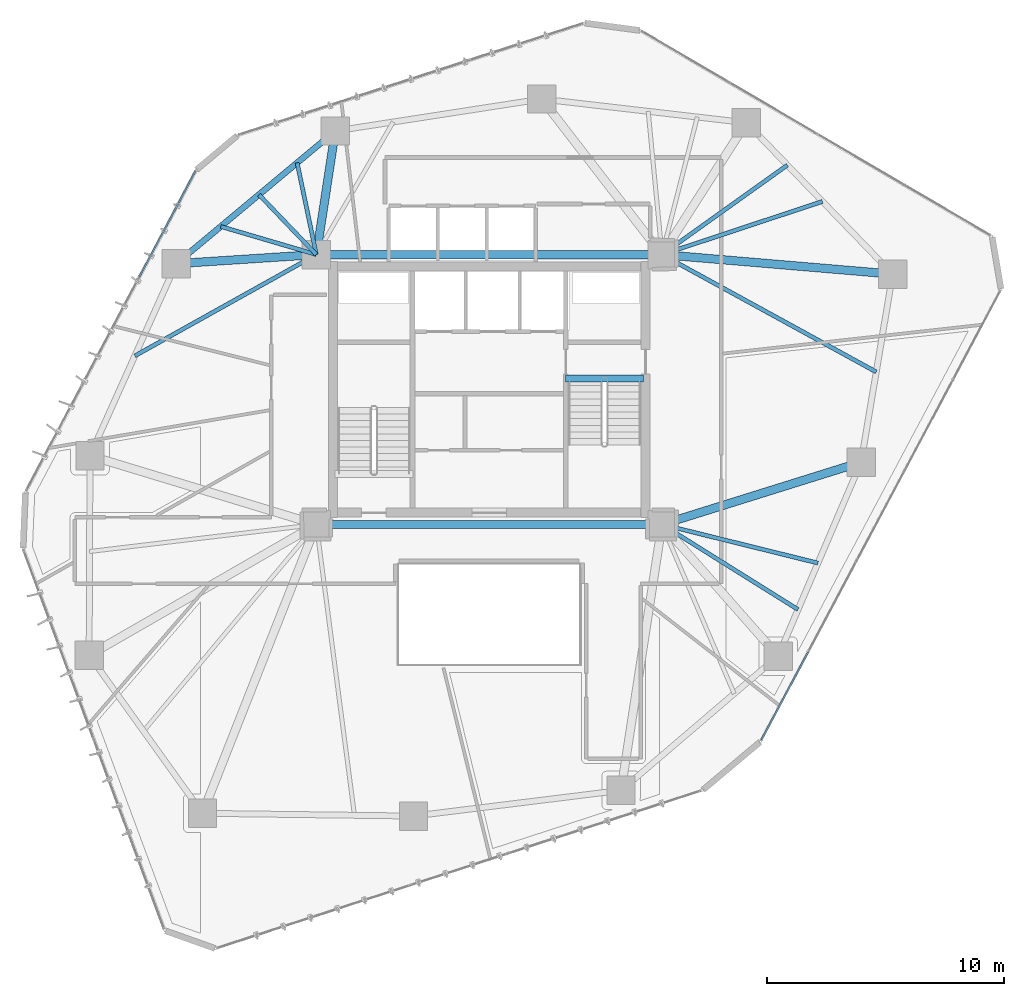
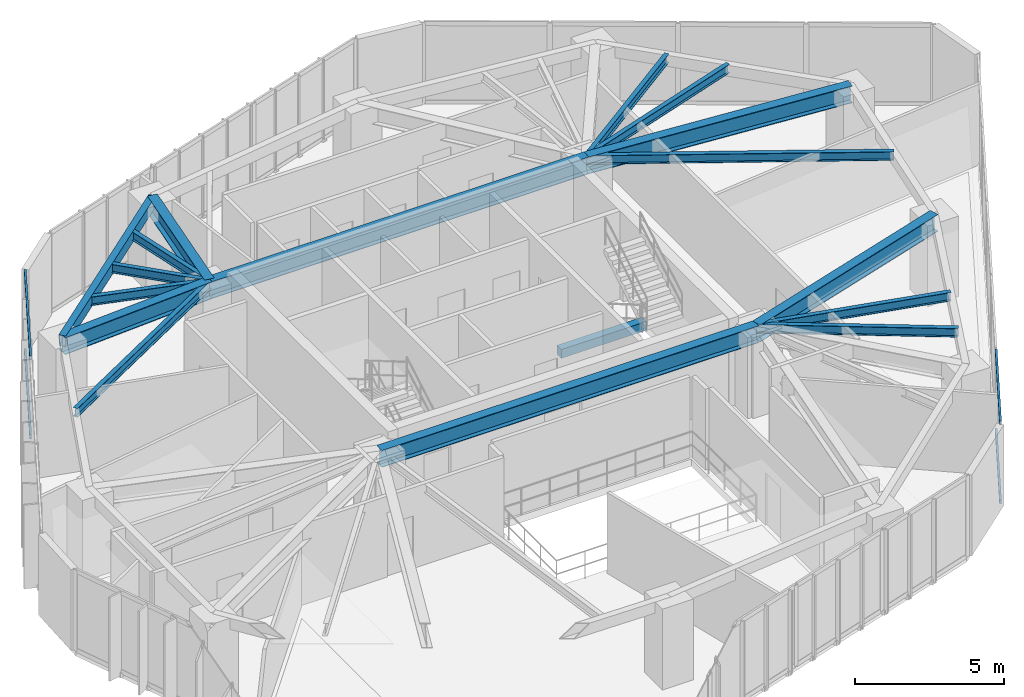
# One storey, part 9 of 21: 17 beams, 4 members, 2 elements without a shape of their own.
"""IFC4 building model written with IfcOpenShell, lengths in metres."""

from ifc_helpers import new_model, si_unit, direction, frame, origin, origin_2d, place, context, subcontext, project, spatial, rectangle, hollow_rectangle, i_section, extrude, source, transform, mapped, material, layer, layer_set, material_profile, profile_set, type_object, type_shapes, element, aggregate, save


model = new_model("IFC4")

# Units and contexts
model_context = context("Model", 3, precision=1e-05, world=origin(), true_north=direction((0.0, 1.0)))
body_context = subcontext(model_context, "Body", "Model", "MODEL_VIEW")
ifc_project = project(units=[si_unit("LENGTHUNIT", "METRE"), si_unit("AREAUNIT", "SQUARE_METRE"), si_unit("VOLUMEUNIT", "CUBIC_METRE"), si_unit("PLANEANGLEUNIT", "RADIAN"), si_unit("MASSUNIT", "GRAM", prefix="KILO")], contexts=[model_context])

# Site, building, storey
site_placement = place(None, origin())
site = spatial("IfcSite", under=ifc_project, at=site_placement, CompositionType="ELEMENT")
building_placement = place(site_placement, origin())
building = spatial("IfcBuilding", under=site, at=building_placement, Name="Talar Marvaseh", CompositionType="ELEMENT")
storey_placement = place(building_placement, frame((0.0, 0.0, 143.39990234375)))
storey = spatial("IfcBuildingStorey", under=building, at=storey_placement, Name="L37", CompositionType="ELEMENT", Elevation=143.39990234375)

# Beams
ifc_material_1 = material(Name="Concrete C40/50", Category="concrete")
ifc_material_profile_1 = material_profile(ifc_material_1, rectangle(XDim=0.300048828125, YDim=0.360107421875, at=origin_2d()), Name="RC300x360")
ifc_profile_set_1 = profile_set([ifc_material_profile_1], Name="Concrete C40/50")
beam_type_1 = type_object("IfcBeamType", Name="Concrete Stair Landing Trimmer Beam RC300x360", PredefinedType="SPANDREL", material=ifc_profile_set_1)
beam_1_placement = place(storey_placement, frame((29.219970703125, 31.669921875, -0.179931640625), z_axis=(1.0, 0.0, 0.0), x_axis=(0.0, 1.0, 0.0)))
element("IfcBeam", 1, at=beam_1_placement, inside=storey, type_object=beam_type_1, Name="L37 ST-2 Stair Nosing Trimmer Beam", PredefinedType="SPANDREL", context=body_context, shape_type="SweptSolid", body=[
    extrude(rectangle(XDim=0.300048828125, YDim=0.360107421875, at=origin_2d()), origin(), (0.0, 0.0, 1.0), 3.300048828125),
])
ifc_material_2 = material(Name="Steel S355", Category="steel")
ifc_material_profile_2 = material_profile(ifc_material_2, hollow_rectangle(XDim=0.25, YDim=0.449951171875, WallThickness=0.01611328125, at=origin_2d()), Name="RHS450x250x16")
ifc_profile_set_2 = profile_set([ifc_material_profile_2], Name="Steel S355")
beam_type_2 = type_object("IfcBeamType", Name="Zone 2 Perimeter Spandrel Beam RHS450x250x16", PredefinedType="SPANDREL", material=ifc_profile_set_2)
beam_2_placement = place(storey_placement, frame((12.780029296875, 36.51708984375, 3.085205078125), z_axis=(0.76793081465, 0.640532796905, 0.0), x_axis=(-0.640532796905, 0.76793081465, 0.0)))
element("IfcBeam", 2, at=beam_2_placement, inside=storey, type_object=beam_type_2, Name="L37 Zone 2 Perimeter Spandrel Beam RHS450x250x16", PredefinedType="SPANDREL", context=body_context, shape_type="SweptSolid", body=[
    extrude(hollow_rectangle(XDim=0.25, YDim=0.449951171875, WallThickness=0.01611328125, at=origin_2d()), origin(), (0.0, 0.0, 1.0), 8.751953125),
])
ifc_material_profile_3 = material_profile(ifc_material_2, i_section(OverallWidth=0.35498046875, OverallDepth=0.695068359375, WebThickness=0.015380859375, FlangeThickness=0.02490234375, at=origin_2d()), Name="W690x217")
ifc_profile_set_3 = profile_set([ifc_material_profile_3], Name="Steel S355")
beam_type_3 = type_object("IfcBeamType", Name="Zone 2 Radial Floor Girder W690x217", PredefinedType="BEAM", material=ifc_profile_set_3)
for number, where, z_axis, x_axis, name in (
    (3, (18.699951171875, 25.5, 2.962646484375), (1.0, 0.0, 0.0), (0.0, 1.0, 0.0), "L37 Zone 2 Radial Floor Girder W690x217"),
    (4, (18.699951171875, 36.89990234375, 2.962646484375), (1.0, 0.0, 0.0), (0.0, 1.0, 0.0), "L37 Zone 2 Radial Floor Girder W690x217"),
):
    element("IfcBeam", number, at=place(storey_placement, frame(where, z_axis=z_axis, x_axis=x_axis)), inside=storey, type_object=beam_type_3, Name=name, PredefinedType="BEAM", context=body_context, shape_type="SweptSolid", body=[
        extrude(i_section(OverallWidth=0.35498046875, OverallDepth=0.695068359375, WebThickness=0.015380859375, FlangeThickness=0.02490234375, at=origin_2d()), origin(), (0.0, 0.0, 1.0), 14.60009765625),
    ])
beam_3_placement = place(storey_placement, frame((43.0439453125, 36.075927734375, 2.962646484375), z_axis=(-0.996443598923, 0.084262412527, 0.0), x_axis=(-0.084262412527, -0.996443598923, 0.0)))
element("IfcBeam", 5, at=beam_3_placement, inside=storey, type_object=beam_type_3, Name="L37 Zone 2 Radial Floor Girder W690x217", PredefinedType="BEAM", context=body_context, shape_type="SweptSolid", body=[
    extrude(i_section(OverallWidth=0.35498046875, OverallDepth=0.695068359375, WebThickness=0.015380859375, FlangeThickness=0.02490234375, at=origin_2d()), origin(), (0.0, 0.0, 1.0), 9.778564453125),
])
beam_4_placement = place(storey_placement, frame((41.708984375, 28.1279296875, 2.962646484375), z_axis=(-0.954475540106, -0.298289194138, 0.0), x_axis=(0.298289194138, -0.954475540106, 0.0)))
element("IfcBeam", 6, at=beam_4_placement, inside=storey, type_object=beam_type_3, Name="L37 Zone 2 Radial Floor Girder W690x217", PredefinedType="BEAM", context=body_context, shape_type="SweptSolid", body=[
    extrude(i_section(OverallWidth=0.35498046875, OverallDepth=0.695068359375, WebThickness=0.015380859375, FlangeThickness=0.02490234375, at=origin_2d()), origin(), (0.0, 0.0, 1.0), 8.81005859375),
])
beam_5_placement = place(storey_placement, frame((12.780029296875, 36.51708984375, 2.962646484375), z_axis=(0.997915745008, 0.064530348407, 0.0), x_axis=(-0.064530348407, 0.997915745008, 0.0)))
element("IfcBeam", 7, at=beam_5_placement, inside=storey, type_object=beam_type_3, Name="L37 Zone 2 Radial Floor Girder W690x217", PredefinedType="BEAM", context=body_context, shape_type="SweptSolid", body=[
    extrude(i_section(OverallWidth=0.35498046875, OverallDepth=0.695068359375, WebThickness=0.015380859375, FlangeThickness=0.02490234375, at=origin_2d()), origin(), (0.0, 0.0, 1.0), 5.932373046875),
])
beam_6_placement = place(storey_placement, frame((19.5009765625, 42.123046875, 2.962646484375), z_axis=(-0.151588471466, -0.98844369355, 0.0), x_axis=(0.98844369355, -0.151588471466, 0.0)))
element("IfcBeam", 8, at=beam_6_placement, inside=storey, type_object=beam_type_3, Name="L37 Zone 2 Radial Floor Girder W690x217", PredefinedType="BEAM", context=body_context, shape_type="SweptSolid", body=[
    extrude(i_section(OverallWidth=0.35498046875, OverallDepth=0.695068359375, WebThickness=0.015380859375, FlangeThickness=0.02490234375, at=origin_2d()), origin(), (0.0, 0.0, 1.0), 5.2841796875),
])
ifc_material_profile_4 = material_profile(ifc_material_2, i_section(OverallWidth=0.172119140625, OverallDepth=0.35791015625, WebThickness=0.0078125, FlangeThickness=0.01318359375, at=origin_2d()), Name="W360x57")
ifc_profile_set_4 = profile_set([ifc_material_profile_4], Name="Steel S355")
beam_type_4 = type_object("IfcBeamType", Name="Zone 2 Secondary Floor Joist W360x57", PredefinedType="JOIST", material=ifc_profile_set_4)
beam_7_placement = place(storey_placement, frame((38.595703125, 40.680419921875, 3.131103515625), z_axis=(-0.813885558782, -0.581025212195, 0.0), x_axis=(0.581025212195, -0.813885558782, 0.0)))
element("IfcBeam", 9, at=beam_7_placement, inside=storey, type_object=beam_type_4, Name="L37 Zone 2 Secondary Floor Joist W360x57", PredefinedType="JOIST", context=body_context, shape_type="SweptSolid", body=[
    extrude(i_section(OverallWidth=0.172119140625, OverallDepth=0.35791015625, WebThickness=0.0078125, FlangeThickness=0.01318359375, at=origin_2d()), origin(), (0.0, 0.0, 1.0), 6.506591796875),
])
beam_8_placement = place(storey_placement, frame((40.07861328125, 39.1455078125, 3.131103515625), z_axis=(-0.949266314022, -0.314473313754, 0.0), x_axis=(0.314473313754, -0.949266314022, 0.0)))
element("IfcBeam", 10, at=beam_8_placement, inside=storey, type_object=beam_type_4, Name="L37 Zone 2 Secondary Floor Joist W360x57", PredefinedType="JOIST", context=body_context, shape_type="SweptSolid", body=[
    extrude(i_section(OverallWidth=0.172119140625, OverallDepth=0.35791015625, WebThickness=0.0078125, FlangeThickness=0.01318359375, at=origin_2d()), origin(), (0.0, 0.0, 1.0), 7.140869140625),
])
beam_9_placement = place(storey_placement, frame((42.349853515625, 31.943115234375, 3.131103515625), z_axis=(-0.877057817553, 0.480384829766, 0.0), x_axis=(-0.480384829766, -0.877057817553, 0.0)))
element("IfcBeam", 11, at=beam_9_placement, inside=storey, type_object=beam_type_4, Name="L37 Zone 2 Secondary Floor Joist W360x57", PredefinedType="JOIST", context=body_context, shape_type="SweptSolid", body=[
    extrude(i_section(OverallWidth=0.172119140625, OverallDepth=0.35791015625, WebThickness=0.0078125, FlangeThickness=0.01318359375, at=origin_2d()), origin(), (0.0, 0.0, 1.0), 10.318359375),
])
beam_10_placement = place(storey_placement, frame((39.887451171875, 23.870849609375, 3.131103515625), z_axis=(-0.970753133019, 0.240079892396, 0.0), x_axis=(-0.240079892396, -0.970753133019, 0.0)))
element("IfcBeam", 12, at=beam_10_placement, inside=storey, type_object=beam_type_4, Name="L37 Zone 2 Secondary Floor Joist W360x57", PredefinedType="JOIST", context=body_context, shape_type="SweptSolid", body=[
    extrude(i_section(OverallWidth=0.172119140625, OverallDepth=0.35791015625, WebThickness=0.0078125, FlangeThickness=0.01318359375, at=origin_2d()), origin(), (0.0, 0.0, 1.0), 6.785888671875),
])
beam_11_placement = place(storey_placement, frame((39.046630859375, 21.906005859375, 3.131103515625), z_axis=(-0.84784042564, 0.530251461715, 0.0), x_axis=(-0.530251461715, -0.84784042564, 0.0)))
element("IfcBeam", 13, at=beam_11_placement, inside=storey, type_object=beam_type_4, Name="L37 Zone 2 Secondary Floor Joist W360x57", PredefinedType="JOIST", context=body_context, shape_type="SweptSolid", body=[
    extrude(i_section(OverallWidth=0.172119140625, OverallDepth=0.35791015625, WebThickness=0.0078125, FlangeThickness=0.01318359375, at=origin_2d()), origin(), (0.0, 0.0, 1.0), 6.77783203125),
])
beam_12_placement = place(storey_placement, frame((11.03173828125, 32.621826171875, 3.131103515625), z_axis=(0.873287668061, 0.487204935128, 0.0), x_axis=(-0.487204935128, 0.873287668061, 0.0)))
element("IfcBeam", 14, at=beam_12_placement, inside=storey, type_object=beam_type_4, Name="L37 Zone 2 Secondary Floor Joist W360x57", PredefinedType="JOIST", context=body_context, shape_type="SweptSolid", body=[
    extrude(i_section(OverallWidth=0.172119140625, OverallDepth=0.35791015625, WebThickness=0.0078125, FlangeThickness=0.01318359375, at=origin_2d()), origin(), (0.0, 0.0, 1.0), 8.78076171875),
])
beam_13_placement = place(storey_placement, frame((14.661865234375, 38.086669921875, 3.131103515625), z_axis=(0.959423672171, -0.281968468587, 0.0), x_axis=(0.281968468587, 0.959423672171, 0.0)))
element("IfcBeam", 15, at=beam_13_placement, inside=storey, type_object=beam_type_4, Name="L37 Zone 2 Secondary Floor Joist W360x57", PredefinedType="JOIST", context=body_context, shape_type="SweptSolid", body=[
    extrude(i_section(OverallWidth=0.172119140625, OverallDepth=0.35791015625, WebThickness=0.0078125, FlangeThickness=0.01318359375, at=origin_2d()), origin(), (0.0, 0.0, 1.0), 4.208984375),
])
beam_14_placement = place(storey_placement, frame((16.27490234375, 39.43212890625, 3.131103515625), z_axis=(0.691657292908, -0.722225857449, 0.0), x_axis=(0.722225857449, 0.691657292908, 0.0)))
element("IfcBeam", 16, at=beam_14_placement, inside=storey, type_object=beam_type_4, Name="L37 Zone 2 Secondary Floor Joist W360x57", PredefinedType="JOIST", context=body_context, shape_type="SweptSolid", body=[
    extrude(i_section(OverallWidth=0.172119140625, OverallDepth=0.35791015625, WebThickness=0.0078125, FlangeThickness=0.01318359375, at=origin_2d()), origin(), (0.0, 0.0, 1.0), 3.506103515625),
])
beam_15_placement = place(storey_placement, frame((17.887939453125, 40.777587890625, 3.131103515625), z_axis=(0.204960633597, -0.978770217505, 0.0), x_axis=(0.978770217505, 0.204960633597, 0.0)))
element("IfcBeam", 17, at=beam_15_placement, inside=storey, type_object=beam_type_4, Name="L37 Zone 2 Secondary Floor Joist W360x57", PredefinedType="JOIST", context=body_context, shape_type="SweptSolid", body=[
    extrude(i_section(OverallWidth=0.172119140625, OverallDepth=0.35791015625, WebThickness=0.0078125, FlangeThickness=0.01318359375, at=origin_2d()), origin(), (0.0, 0.0, 1.0), 3.9619140625),
])

# Curtain wall, members
ifc_material_3 = material(Name="Architectural Aluminium", Category="aluminium")
ifc_layer = layer(ifc_material_3, 0.199951171875)
ifc_layer_set = layer_set([ifc_layer], Name="Architectural Aluminium")
curtain_wall_type = type_object("IfcCurtainWallType", Name="Unitised Acoustic Library Curtain Wall Z2", PredefinedType="NOTDEFINED", material=ifc_layer_set)
curtain_wall_1_placement = place(storey_placement, origin())
curtain_wall_1 = element("IfcCurtainWall", 18, at=curtain_wall_1_placement, inside=storey, type_object=curtain_wall_type, Name="L37 Unitised Acoustic Library Curtain Wall Z2", PredefinedType="NOTDEFINED")
ifc_material_profile_5 = material_profile(ifc_material_3, hollow_rectangle(XDim=0.074951171875, YDim=0.179931640625, WallThickness=0.0048828125, at=origin_2d()), Name="RHS180x75x5")
ifc_profile_set_5 = profile_set([ifc_material_profile_5], Name="Architectural Aluminium")
member_type = type_object("IfcMemberType", Name="Unitised Curtain Wall Transom RHS180x75x5", PredefinedType="USERDEFINED", material=ifc_profile_set_5)
shared_shape_1 = source(origin(), body_context, "Body", "SweptSolid", [
    extrude(hollow_rectangle(XDim=0.074951171875, YDim=0.179931640625, WallThickness=0.0048828125, at=origin_2d()), origin(), (0.0, 0.0, 1.0), 5.017578125),
])
member_1_placement = place(storey_placement, frame((11.236083984375, 35.971435546875, 0.03759765625), z_axis=(0.468417467691, 0.883507258579, 0.0), x_axis=(-0.883507258579, 0.468417467691, 0.0)))
member_1 = element("IfcMember", 19, at=member_1_placement, type_object=member_type, Name="CW-Z2 transom 3.1", ObjectType="TRANSOM", PredefinedType="USERDEFINED", context=body_context, shape_type="MappedRepresentation", body=[
    mapped(shared_shape_1, transform((0.0, 0.0, 0.0), x_axis=(1.0, 0.0, 0.0), y_axis=(0.0, 1.0, 0.0), z_axis=(0.0, 0.0, 1.0), scale=1.0)),
])
member_2_placement = place(storey_placement, frame((11.236083984375, 35.971435546875, 3.272705078125), z_axis=(0.468417467691, 0.883507258579, 0.0), x_axis=(-0.883507258579, 0.468417467691, 0.0)))
member_2 = element("IfcMember", 20, at=member_2_placement, type_object=member_type, Name="CW-Z2 transom 3.2", ObjectType="TRANSOM", PredefinedType="USERDEFINED", context=body_context, shape_type="MappedRepresentation", body=[
    mapped(shared_shape_1, transform((0.0, 0.0, 0.0), x_axis=(1.0, 0.0, 0.0), y_axis=(0.0, 1.0, 0.0), z_axis=(0.0, 0.0, 1.0), scale=1.0)),
])
aggregate(curtain_wall_1, [member_1, member_2])

curtain_wall_2_placement = place(storey_placement, origin())
curtain_wall_2 = element("IfcCurtainWall", 21, at=curtain_wall_2_placement, inside=storey, type_object=curtain_wall_type, Name="L37 Unitised Acoustic Library Curtain Wall Z2", PredefinedType="NOTDEFINED")
shared_shape_2 = source(origin(), body_context, "Body", "SweptSolid", [
    extrude(hollow_rectangle(XDim=0.074951171875, YDim=0.179931640625, WallThickness=0.0048828125, at=origin_2d()), origin(), (0.0, 0.0, 1.0), 4.2109375),
])
type_shapes(member_type, [shared_shape_1, shared_shape_2])
member_3_placement = place(storey_placement, frame((39.4755859375, 20.1123046875, 0.03759765625), z_axis=(-0.469612972978, -0.882872389199, 0.0), x_axis=(0.882872389199, -0.469612972978, 0.0)))
member_3 = element("IfcMember", 22, at=member_3_placement, type_object=member_type, Name="CW-Z2 transom 5.1", ObjectType="TRANSOM", PredefinedType="USERDEFINED", context=body_context, shape_type="MappedRepresentation", body=[
    mapped(shared_shape_2, transform((0.0, 0.0, 0.0), x_axis=(1.0, 0.0, 0.0), y_axis=(0.0, 1.0, 0.0), z_axis=(0.0, 0.0, 1.0), scale=1.0)),
])
member_4_placement = place(storey_placement, frame((39.4755859375, 20.1123046875, 3.272705078125), z_axis=(-0.469612972978, -0.882872389199, 0.0), x_axis=(0.882872389199, -0.469612972978, 0.0)))
member_4 = element("IfcMember", 23, at=member_4_placement, type_object=member_type, Name="CW-Z2 transom 5.2", ObjectType="TRANSOM", PredefinedType="USERDEFINED", context=body_context, shape_type="MappedRepresentation", body=[
    mapped(shared_shape_2, transform((0.0, 0.0, 0.0), x_axis=(1.0, 0.0, 0.0), y_axis=(0.0, 1.0, 0.0), z_axis=(0.0, 0.0, 1.0), scale=1.0)),
])
aggregate(curtain_wall_2, [member_3, member_4])

save(model, "model.ifc")
